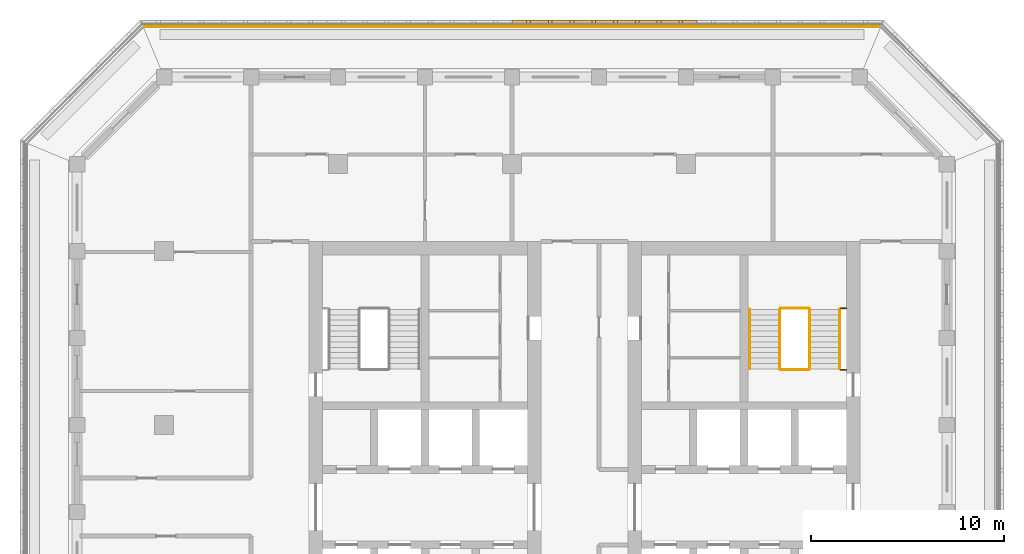
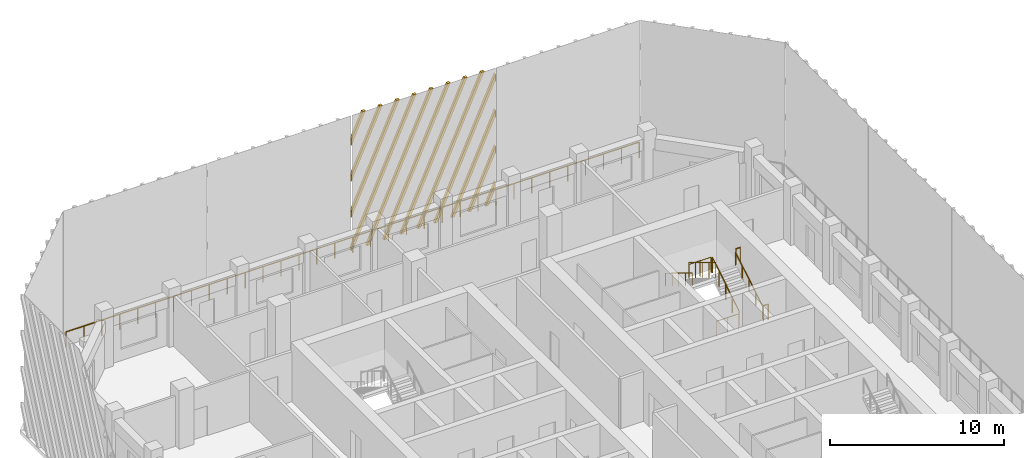
# One storey, part 14 of 16: 9 railings, 1 shading device.
"""IFC4 building model written with IfcOpenShell, lengths in metres."""

from ifc_helpers import new_model, si_unit, direction, frame, origin, origin_2d, place, context, subcontext, project, spatial, polyline, circle, outline, extrude, source, transform, mapped, material, type_object, element, save


model = new_model("IFC4")

# Units and contexts
model_context = context("Model", 3, precision=1e-05, world=origin(), true_north=direction((0.0, 1.0)))
body_context = subcontext(model_context, "Body", "Model", "MODEL_VIEW")
ifc_project = project(units=[si_unit("LENGTHUNIT", "METRE"), si_unit("AREAUNIT", "SQUARE_METRE"), si_unit("VOLUMEUNIT", "CUBIC_METRE"), si_unit("PLANEANGLEUNIT", "RADIAN"), si_unit("MASSUNIT", "GRAM", prefix="KILO")], contexts=[model_context])

# Site, building, storey
site_placement = place(None, origin())
site = spatial("IfcSite", under=ifc_project, at=site_placement, CompositionType="ELEMENT")
building_placement = place(site_placement, origin())
building = spatial("IfcBuilding", under=site, at=building_placement, Name="Corbel Stack Research Tower", CompositionType="ELEMENT")
storey_placement = place(building_placement, frame((0.0, 0.0, 290.89990234375)))
storey = spatial("IfcBuildingStorey", under=building, at=storey_placement, Name="L66", CompositionType="ELEMENT", Elevation=290.89990234375)

# Railings
ifc_material_1 = material(Name="Steel S355", Category="steel")
railing_type_1 = type_object("IfcRailingType", Name="Stair guard 1100", PredefinedType="GUARDRAIL", material=ifc_material_1)
railing_1_placement = place(storey_placement, frame((15.39990234375, 11.89990234375, 0.1708984375)))
element("IfcRailing", 1, at=railing_1_placement, inside=storey, type_object=railing_type_1, Name="L66 ST-E2 stair guard 1", PredefinedType="GUARDRAIL", context=body_context, shape_type="SweptSolid", body=[
    extrude(circle(Radius=0.02392578125, at=origin_2d()), frame((0.0, 0.0, 1.076171875), z_axis=(0.0, 0.853666305674, 0.52082035152), x_axis=(-1.0, 0.0, 0.0)), (0.0, 0.0, 1.0), 3.608154296875),
    extrude(circle(Radius=0.02099609375, at=origin_2d()), origin(), (0.0, 0.0, 1.0), 1.052001953125),
    extrude(circle(Radius=0.02099609375, at=origin_2d()), frame((0.0, 0.77001953125, 0.4697265625)), (0.0, 0.0, 1.0), 1.052001953125),
    extrude(circle(Radius=0.02099609375, at=origin_2d()), frame((0.0, 1.5400390625, 0.939453125)), (0.0, 0.0, 1.0), 1.052001953125),
    extrude(circle(Radius=0.02099609375, at=origin_2d()), frame((0.0, 2.31005859375, 1.409423828125)), (0.0, 0.0, 1.0), 1.052001953125),
    extrude(circle(Radius=0.02099609375, at=origin_2d()), frame((0.0, 3.080078125, 1.879150390625)), (0.0, 0.0, 1.0), 1.052001953125),
])
railing_2_placement = place(storey_placement, frame((15.35009765625, 15.030029296875, 2.050048828125)))
element("IfcRailing", 2, at=railing_2_placement, inside=storey, type_object=railing_type_1, Name="L66 ST-E2 stair guard 2", PredefinedType="GUARDRAIL", context=body_context, shape_type="SweptSolid", body=[
    extrude(circle(Radius=0.02392578125, at=origin_2d()), frame((0.0, 0.0, 1.076171875), z_axis=(-1.0, 0.0, 0.0), x_axis=(0.0, -1.0, 0.0)), (0.0, 0.0, 1.0), 1.4501953125),
    extrude(circle(Radius=0.02099609375, at=origin_2d()), origin(), (0.0, 0.0, 1.0), 1.052001953125),
    extrude(circle(Radius=0.02099609375, at=origin_2d()), frame((-0.72509765625, 0.0, 0.0)), (0.0, 0.0, 1.0), 1.052001953125),
    extrude(circle(Radius=0.02099609375, at=origin_2d()), frame((-1.4501953125, 0.0, 0.0)), (0.0, 0.0, 1.0), 1.052001953125),
])
railing_3_placement = place(storey_placement, frame((17.300048828125, 15.030029296875, 2.050048828125)))
element("IfcRailing", 3, at=railing_3_placement, inside=storey, type_object=railing_type_1, Name="L66 ST-E2 stair guard 3", PredefinedType="GUARDRAIL", context=body_context, shape_type="SweptSolid", body=[
    extrude(circle(Radius=0.02392578125, at=origin_2d()), frame((0.0, 0.0, 1.076171875), z_axis=(-1.0, 0.0, 0.0), x_axis=(0.0, -1.0, 0.0)), (0.0, 0.0, 1.0), 0.300048828125),
    extrude(circle(Radius=0.02099609375, at=origin_2d()), origin(), (0.0, 0.0, 1.0), 1.052001953125),
    extrude(circle(Radius=0.02099609375, at=origin_2d()), frame((-0.300048828125, 0.0, 0.0)), (0.0, 0.0, 1.0), 1.052001953125),
])
railing_4_placement = place(storey_placement, frame((13.85009765625, 14.97998046875, 2.220947265625)))
element("IfcRailing", 4, at=railing_4_placement, inside=storey, type_object=railing_type_1, Name="L66 ST-E2 stair guard 4", PredefinedType="GUARDRAIL", context=body_context, shape_type="SweptSolid", body=[
    extrude(circle(Radius=0.02392578125, at=origin_2d()), frame((0.0, 0.0, 1.076171875), z_axis=(0.0, -0.853666305674, 0.52082035152), x_axis=(1.0, 0.0, 0.0)), (0.0, 0.0, 1.0), 3.608154296875),
    extrude(circle(Radius=0.02099609375, at=origin_2d()), origin(), (0.0, 0.0, 1.0), 1.052001953125),
    extrude(circle(Radius=0.02099609375, at=origin_2d()), frame((0.0, -0.77001953125, 0.4697265625)), (0.0, 0.0, 1.0), 1.052001953125),
    extrude(circle(Radius=0.02099609375, at=origin_2d()), frame((0.0, -1.5400390625, 0.939453125)), (0.0, 0.0, 1.0), 1.052001953125),
    extrude(circle(Radius=0.02099609375, at=origin_2d()), frame((0.0, -2.31005859375, 1.409423828125)), (0.0, 0.0, 1.0), 1.052001953125),
    extrude(circle(Radius=0.02099609375, at=origin_2d()), frame((0.0, -3.080078125, 1.879150390625)), (0.0, 0.0, 1.0), 1.052001953125),
])
railing_5_placement = place(storey_placement, frame((15.35009765625, 11.85009765625, 0.0)))
element("IfcRailing", 5, at=railing_5_placement, inside=storey, type_object=railing_type_1, Name="L66 ST-E2 stair guard 5", PredefinedType="GUARDRAIL", context=body_context, shape_type="SweptSolid", body=[
    extrude(circle(Radius=0.02392578125, at=origin_2d()), frame((0.0, 0.0, 1.076171875), z_axis=(-1.0, 0.0, 0.0), x_axis=(0.0, -1.0, 0.0)), (0.0, 0.0, 1.0), 1.4501953125),
    extrude(circle(Radius=0.02099609375, at=origin_2d()), origin(), (0.0, 0.0, 1.0), 1.052001953125),
    extrude(circle(Radius=0.02099609375, at=origin_2d()), frame((-0.72509765625, 0.0, 0.0)), (0.0, 0.0, 1.0), 1.052001953125),
    extrude(circle(Radius=0.02099609375, at=origin_2d()), frame((-1.4501953125, 0.0, 0.0)), (0.0, 0.0, 1.0), 1.052001953125),
])
railing_6_placement = place(storey_placement, frame((17.300048828125, 11.85009765625, 0.0)))
element("IfcRailing", 6, at=railing_6_placement, inside=storey, type_object=railing_type_1, Name="L66 ST-E2 stair guard 6", PredefinedType="GUARDRAIL", context=body_context, shape_type="SweptSolid", body=[
    extrude(circle(Radius=0.02392578125, at=origin_2d()), frame((0.0, 0.0, 1.076171875), z_axis=(-1.0, 0.0, 0.0), x_axis=(0.0, -1.0, 0.0)), (0.0, 0.0, 1.0), 0.300048828125),
    extrude(circle(Radius=0.02099609375, at=origin_2d()), origin(), (0.0, 0.0, 1.0), 1.052001953125),
    extrude(circle(Radius=0.02099609375, at=origin_2d()), frame((-0.300048828125, 0.0, 0.0)), (0.0, 0.0, 1.0), 1.052001953125),
])
ifc_material_2 = material(Name="Steel S355", Category="steel")
railing_type_2 = type_object("IfcRailingType", Name="Stair handrail 900", PredefinedType="HANDRAIL", material=ifc_material_2)
railing_7_placement = place(storey_placement, frame((16.949951171875, 11.89990234375, 0.1708984375)))
element("IfcRailing", 7, at=railing_7_placement, inside=storey, type_object=railing_type_2, Name="L66 ST-E2 stair handrail 1", PredefinedType="HANDRAIL", context=body_context, shape_type="SweptSolid", body=[
    extrude(circle(Radius=0.02392578125, at=origin_2d()), frame((0.0, 0.0, 0.8759765625), z_axis=(0.0, 0.853666305674, 0.52082035152), x_axis=(-1.0, 0.0, 0.0)), (0.0, 0.0, 1.0), 3.608154296875),
    extrude(circle(Radius=0.02099609375, at=origin_2d()), origin(), (0.0, 0.0, 1.0), 0.851806640625),
    extrude(circle(Radius=0.02099609375, at=origin_2d()), frame((0.0, 0.77001953125, 0.4697265625)), (0.0, 0.0, 1.0), 0.851806640625),
    extrude(circle(Radius=0.02099609375, at=origin_2d()), frame((0.0, 1.5400390625, 0.939453125)), (0.0, 0.0, 1.0), 0.851806640625),
    extrude(circle(Radius=0.02099609375, at=origin_2d()), frame((0.0, 2.31005859375, 1.409423828125)), (0.0, 0.0, 1.0), 0.851806640625),
    extrude(circle(Radius=0.02099609375, at=origin_2d()), frame((0.0, 3.080078125, 1.879150390625)), (0.0, 0.0, 1.0), 0.851806640625),
])
railing_8_placement = place(storey_placement, frame((12.300048828125, 14.97998046875, 2.220947265625)))
element("IfcRailing", 8, at=railing_8_placement, inside=storey, type_object=railing_type_2, Name="L66 ST-E2 stair handrail 2", PredefinedType="HANDRAIL", context=body_context, shape_type="SweptSolid", body=[
    extrude(circle(Radius=0.02392578125, at=origin_2d()), frame((0.0, 0.0, 0.8759765625), z_axis=(0.0, -0.853666305674, 0.52082035152), x_axis=(1.0, 0.0, 0.0)), (0.0, 0.0, 1.0), 3.608154296875),
    extrude(circle(Radius=0.02099609375, at=origin_2d()), origin(), (0.0, 0.0, 1.0), 0.851806640625),
    extrude(circle(Radius=0.02099609375, at=origin_2d()), frame((0.0, -0.77001953125, 0.4697265625)), (0.0, 0.0, 1.0), 0.851806640625),
    extrude(circle(Radius=0.02099609375, at=origin_2d()), frame((0.0, -1.5400390625, 0.939453125)), (0.0, 0.0, 1.0), 0.851806640625),
    extrude(circle(Radius=0.02099609375, at=origin_2d()), frame((0.0, -2.31005859375, 1.409423828125)), (0.0, 0.0, 1.0), 0.851806640625),
    extrude(circle(Radius=0.02099609375, at=origin_2d()), frame((0.0, -3.080078125, 1.879150390625)), (0.0, 0.0, 1.0), 0.851806640625),
])
ifc_material_3 = material(Name="Powder-coated steel guard", Category="steel")
railing_type_3 = type_object("IfcRailingType", Name="Steel and glass guard 1100", PredefinedType="GUARDRAIL", material=ifc_material_3)
railing_9_placement = place(storey_placement, frame((19.00537109375, 29.60009765625, 0.0)))
element("IfcRailing", 9, at=railing_9_placement, inside=storey, type_object=railing_type_3, Name="Loggia guard L66 N", PredefinedType="GUARDRAIL", context=body_context, shape_type="SweptSolid", body=[
    extrude(circle(Radius=0.02392578125, at=origin_2d()), frame((0.0, 0.0, 1.076171875), z_axis=(-1.0, 0.0, 0.0), x_axis=(0.0, -1.0, 0.0)), (0.0, 0.0, 1.0), 38.0107421875),
    extrude(circle(Radius=0.02099609375, at=origin_2d()), origin(), (0.0, 0.0, 1.0), 1.052001953125),
    extrude(circle(Radius=0.02099609375, at=origin_2d()), frame((-1.187744140625, 0.0, 0.0)), (0.0, 0.0, 1.0), 1.052001953125),
    extrude(circle(Radius=0.02099609375, at=origin_2d()), frame((-2.375732421875, 0.0, 0.0)), (0.0, 0.0, 1.0), 1.052001953125),
    extrude(circle(Radius=0.02099609375, at=origin_2d()), frame((-3.5634765625, 0.0, 0.0)), (0.0, 0.0, 1.0), 1.052001953125),
    extrude(circle(Radius=0.02099609375, at=origin_2d()), frame((-4.75146484375, 0.0, 0.0)), (0.0, 0.0, 1.0), 1.052001953125),
    extrude(circle(Radius=0.02099609375, at=origin_2d()), frame((-5.939208984375, 0.0, 0.0)), (0.0, 0.0, 1.0), 1.052001953125),
    extrude(circle(Radius=0.02099609375, at=origin_2d()), frame((-7.126953125, 0.0, 0.0)), (0.0, 0.0, 1.0), 1.052001953125),
    extrude(circle(Radius=0.02099609375, at=origin_2d()), frame((-8.31494140625, 0.0, 0.0)), (0.0, 0.0, 1.0), 1.052001953125),
    extrude(circle(Radius=0.02099609375, at=origin_2d()), frame((-9.502685546875, 0.0, 0.0)), (0.0, 0.0, 1.0), 1.052001953125),
    extrude(circle(Radius=0.02099609375, at=origin_2d()), frame((-10.6904296875, 0.0, 0.0)), (0.0, 0.0, 1.0), 1.052001953125),
    extrude(circle(Radius=0.02099609375, at=origin_2d()), frame((-11.87841796875, 0.0, 0.0)), (0.0, 0.0, 1.0), 1.052001953125),
    extrude(circle(Radius=0.02099609375, at=origin_2d()), frame((-13.066162109375, 0.0, 0.0)), (0.0, 0.0, 1.0), 1.052001953125),
    extrude(circle(Radius=0.02099609375, at=origin_2d()), frame((-14.25390625, 0.0, 0.0)), (0.0, 0.0, 1.0), 1.052001953125),
    extrude(circle(Radius=0.02099609375, at=origin_2d()), frame((-15.44189453125, 0.0, 0.0)), (0.0, 0.0, 1.0), 1.052001953125),
    extrude(circle(Radius=0.02099609375, at=origin_2d()), frame((-16.629638671875, 0.0, 0.0)), (0.0, 0.0, 1.0), 1.052001953125),
    extrude(circle(Radius=0.02099609375, at=origin_2d()), frame((-17.817626953125, 0.0, 0.0)), (0.0, 0.0, 1.0), 1.052001953125),
    extrude(circle(Radius=0.02099609375, at=origin_2d()), frame((-19.00537109375, 0.0, 0.0)), (0.0, 0.0, 1.0), 1.052001953125),
    extrude(circle(Radius=0.02099609375, at=origin_2d()), frame((-20.193115234375, 0.0, 0.0)), (0.0, 0.0, 1.0), 1.052001953125),
    extrude(circle(Radius=0.02099609375, at=origin_2d()), frame((-21.381103515625, 0.0, 0.0)), (0.0, 0.0, 1.0), 1.052001953125),
    extrude(circle(Radius=0.02099609375, at=origin_2d()), frame((-22.56884765625, 0.0, 0.0)), (0.0, 0.0, 1.0), 1.052001953125),
    extrude(circle(Radius=0.02099609375, at=origin_2d()), frame((-23.7568359375, 0.0, 0.0)), (0.0, 0.0, 1.0), 1.052001953125),
    extrude(circle(Radius=0.02099609375, at=origin_2d()), frame((-24.944580078125, 0.0, 0.0)), (0.0, 0.0, 1.0), 1.052001953125),
    extrude(circle(Radius=0.02099609375, at=origin_2d()), frame((-26.13232421875, 0.0, 0.0)), (0.0, 0.0, 1.0), 1.052001953125),
    extrude(circle(Radius=0.02099609375, at=origin_2d()), frame((-27.3203125, 0.0, 0.0)), (0.0, 0.0, 1.0), 1.052001953125),
    extrude(circle(Radius=0.02099609375, at=origin_2d()), frame((-28.508056640625, 0.0, 0.0)), (0.0, 0.0, 1.0), 1.052001953125),
    extrude(circle(Radius=0.02099609375, at=origin_2d()), frame((-29.69580078125, 0.0, 0.0)), (0.0, 0.0, 1.0), 1.052001953125),
    extrude(circle(Radius=0.02099609375, at=origin_2d()), frame((-30.8837890625, 0.0, 0.0)), (0.0, 0.0, 1.0), 1.052001953125),
    extrude(circle(Radius=0.02099609375, at=origin_2d()), frame((-32.071533203125, 0.0, 0.0)), (0.0, 0.0, 1.0), 1.052001953125),
    extrude(circle(Radius=0.02099609375, at=origin_2d()), frame((-33.25927734375, 0.0, 0.0)), (0.0, 0.0, 1.0), 1.052001953125),
    extrude(circle(Radius=0.02099609375, at=origin_2d()), frame((-34.447265625, 0.0, 0.0)), (0.0, 0.0, 1.0), 1.052001953125),
    extrude(circle(Radius=0.02099609375, at=origin_2d()), frame((-35.635009765625, 0.0, 0.0)), (0.0, 0.0, 1.0), 1.052001953125),
    extrude(circle(Radius=0.02099609375, at=origin_2d()), frame((-36.822998046875, 0.0, 0.0)), (0.0, 0.0, 1.0), 1.052001953125),
    extrude(circle(Radius=0.02099609375, at=origin_2d()), frame((-38.0107421875, 0.0, 0.0)), (0.0, 0.0, 1.0), 1.052001953125),
])

# Shading device
ifc_material_4 = material(Name="Precast terracotta", Category="masonry")
shading_device_type = type_object("IfcShadingDeviceType", Name="Terracotta screen panel", PredefinedType="USERDEFINED", material=ifc_material_4)
shared_shape = source(origin(), body_context, "Body", "SweptSolid", [
    extrude(outline(polyline([(0.66455078125, 0.0), (0.0, 1.49267578125), (0.0, 1.06591796875), (0.474609375, 0.0), (0.66455078125, 0.0)])), frame((0.0, 0.0, 0.0), z_axis=(0.0, -1.0, 0.0), x_axis=(1.0, 0.0, 0.0)), (0.0, 0.0, 1.0), 0.179931640625),
    extrude(outline(polyline([(1.78955078125, 0.0), (0.0, 4.019287109375), (0.0, 3.592529296875), (1.599609375, 0.0), (1.78955078125, 0.0)])), frame((0.0, 0.0, 0.0), z_axis=(0.0, -1.0, 0.0), x_axis=(1.0, 0.0, 0.0)), (0.0, 0.0, 1.0), 0.179931640625),
    extrude(outline(polyline([(2.91455078125, 0.0), (0.0, 6.546142578125), (0.0, 6.119384765625), (2.724609375, 0.0), (2.91455078125, 0.0)])), frame((0.0, 0.0, 0.0), z_axis=(0.0, -1.0, 0.0), x_axis=(1.0, 0.0, 0.0)), (0.0, 0.0, 1.0), 0.179931640625),
    extrude(outline(polyline([(4.03955078125, 0.0), (0.0, 9.072998046875), (0.0, 8.646240234375), (3.849609375, 0.0), (4.03955078125, 0.0)])), frame((0.0, 0.0, 0.0), z_axis=(0.0, -1.0, 0.0), x_axis=(1.0, 0.0, 0.0)), (0.0, 0.0, 1.0), 0.179931640625),
    extrude(outline(polyline([(5.16455078125, 0.0), (0.934814453125, 9.5), (0.744873046875, 9.5), (4.974609375, 0.0), (5.16455078125, 0.0)])), frame((0.0, 0.0, 0.0), z_axis=(0.0, -1.0, 0.0), x_axis=(1.0, 0.0, 0.0)), (0.0, 0.0, 1.0), 0.179931640625),
    extrude(outline(polyline([(6.28955078125, 0.0), (2.059814453125, 9.5), (1.869873046875, 9.5), (6.099609375, 0.0), (6.28955078125, 0.0)])), frame((0.0, 0.0, 0.0), z_axis=(0.0, -1.0, 0.0), x_axis=(1.0, 0.0, 0.0)), (0.0, 0.0, 1.0), 0.179931640625),
    extrude(outline(polyline([(7.41455078125, 0.0), (3.184814453125, 9.5), (2.994873046875, 9.5), (7.224609375, 0.0), (7.41455078125, 0.0)])), frame((0.0, 0.0, 0.0), z_axis=(0.0, -1.0, 0.0), x_axis=(1.0, 0.0, 0.0)), (0.0, 0.0, 1.0), 0.179931640625),
    extrude(outline(polyline([(8.53955078125, 0.0), (4.309814453125, 9.5), (4.119873046875, 9.5), (8.349609375, 0.0), (8.53955078125, 0.0)])), frame((0.0, 0.0, 0.0), z_axis=(0.0, -1.0, 0.0), x_axis=(1.0, 0.0, 0.0)), (0.0, 0.0, 1.0), 0.179931640625),
    extrude(outline(polyline([(9.569580078125, 0.0), (9.569580078125, 0.21337890625), (5.434814453125, 9.5), (5.244873046875, 9.5), (9.474609375, 0.0), (9.569580078125, 0.0)])), frame((0.0, 0.0, 0.0), z_axis=(0.0, -1.0, 0.0), x_axis=(1.0, 0.0, 0.0)), (0.0, 0.0, 1.0), 0.179931640625),
    extrude(outline(polyline([(6.559814453125, 9.5), (6.369873046875, 9.5), (9.569580078125, 2.3134765625), (9.569580078125, 2.740234375), (6.559814453125, 9.5)])), frame((0.0, 0.0, 0.0), z_axis=(0.0, -1.0, 0.0), x_axis=(1.0, 0.0, 0.0)), (0.0, 0.0, 1.0), 0.179931640625),
    extrude(outline(polyline([(7.684814453125, 9.5), (7.494873046875, 9.5), (9.569580078125, 4.840087890625), (9.569580078125, 5.26708984375), (7.684814453125, 9.5)])), frame((0.0, 0.0, 0.0), z_axis=(0.0, -1.0, 0.0), x_axis=(1.0, 0.0, 0.0)), (0.0, 0.0, 1.0), 0.179931640625),
    extrude(outline(polyline([(8.809814453125, 9.5), (8.619873046875, 9.5), (9.569580078125, 7.366943359375), (9.569580078125, 7.793701171875), (8.809814453125, 9.5)])), frame((0.0, 0.0, 0.0), z_axis=(0.0, -1.0, 0.0), x_axis=(1.0, 0.0, 0.0)), (0.0, 0.0, 1.0), 0.179931640625),
])
shading_device_placement = place(storey_placement, frame((9.569580078125, 29.75, 0.0), z_axis=(0.0, 0.0, 1.0), x_axis=(-1.0, 0.0, 0.0)))
element("IfcShadingDevice", 10, at=shading_device_placement, inside=storey, type_object=shading_device_type, Name="Terracotta screen L66 N2", ObjectType="SCREEN", PredefinedType="USERDEFINED", context=body_context, shape_type="MappedRepresentation", body=[
    mapped(shared_shape, transform((0.0, 0.0, 0.0))),
])

save(model, "model.ifc")
